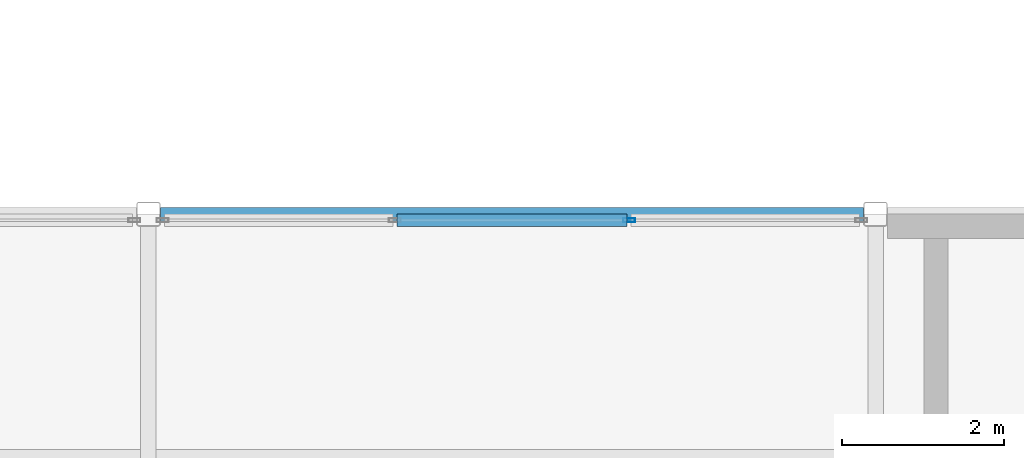
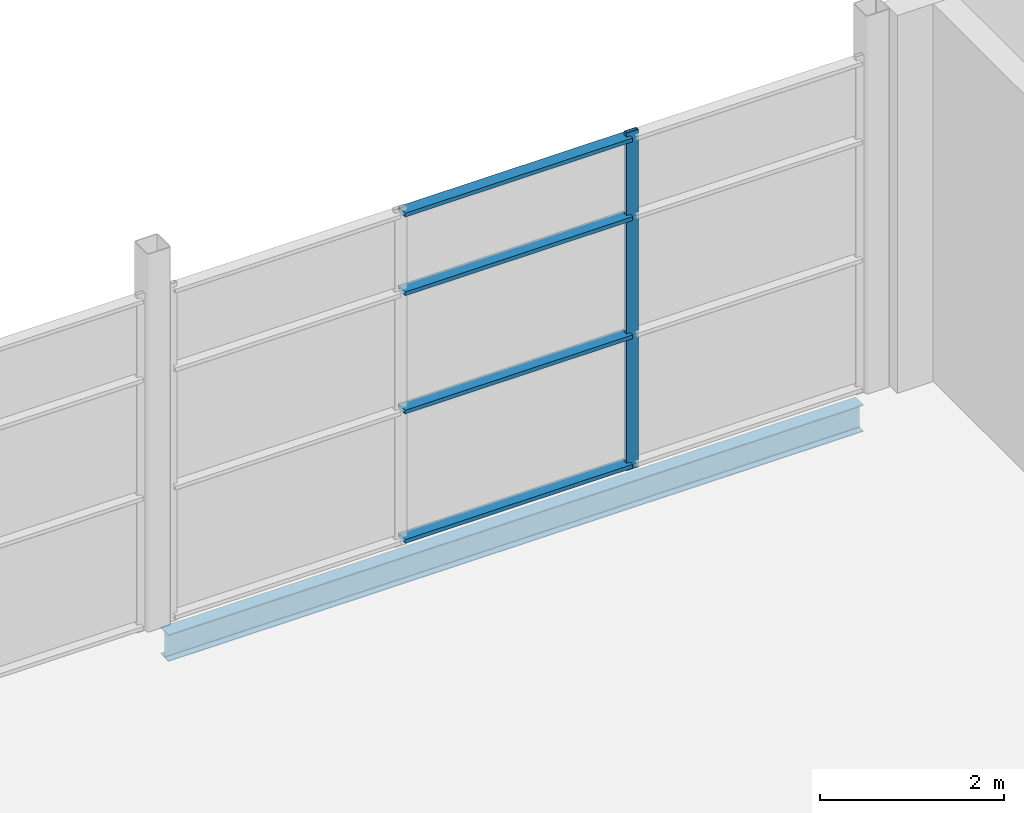
# One storey, part 64 of 112: 5 members, 1 beam, 1 element without a shape of its own.
"""IFC4 building model written with IfcOpenShell, lengths in metres."""

import ifcopenshell
import ifcopenshell.guid

model = None  # the IFC model being written
_history = None  # IfcOwnerHistory: only IFC2X3 demands one
_inside = {}  # id of a spatial element -> (the spatial element, [elements in it])
_under = {}  # id of a project, library or spatial element -> (it, [spatial elements below it])
_declared = {}  # id of a project -> (the project, [libraries it declares])
_typed = {}  # id of a type object -> (the type object, [elements of that type])
_made_of = {}  # id of a material, layer set ... -> (it, [elements and type objects made of it])


def new_model(schema):
    """Start an empty IFC model of exactly this schema.

    Asked for "IFC4X3", IfcOpenShell would pick the latest addendum, in which some entities
    have other attributes; the version numbers below select the first issue.
    IFC2X3 requires an IfcOwnerHistory on every rooted entity: one is made here for all.
    """
    global model, _history
    if schema == "IFC4X3":
        model = ifcopenshell.file(schema_version=(4, 3, 0, 0))
    else:
        model = ifcopenshell.file(schema=schema)
    _inside.clear()
    _under.clear()
    _declared.clear()
    _typed.clear()
    _made_of.clear()
    _history = None
    if model.schema == "IFC2X3":
        org = make("IfcOrganization", Name="unknown")
        user = make(
            "IfcPersonAndOrganization",
            ThePerson=make("IfcPerson", FamilyName="unknown"),
            TheOrganization=org,
        )
        app = make(
            "IfcApplication",
            ApplicationDeveloper=org,
            Version="unknown",
            ApplicationFullName="unknown",
            ApplicationIdentifier="unknown",
        )
        _history = make(
            "IfcOwnerHistory",
            OwningUser=user,
            OwningApplication=app,
            ChangeAction="ADDED",
            CreationDate=0,
        )
    return model


def make(cls, **values):
    """One entity of the class cls with the attributes given. An attribute that is None is left unset."""
    return model.create_entity(
        cls, **{name: value for name, value in values.items() if value is not None}
    )


def rooted(cls, **values):
    """An entity with a GlobalId (a new one), such as an element, a storey or a relation."""
    return make(cls, GlobalId=ifcopenshell.guid.new(), OwnerHistory=_history, **values)


def si_unit(unit_type, name, prefix=None):
    """IfcSIUnit, for example si_unit("LENGTHUNIT", "METRE", prefix="MILLI")."""
    return make("IfcSIUnit", UnitType=unit_type, Prefix=prefix, Name=name)


def assignment(units):
    """IfcUnitAssignment: the units of a project."""
    return None if units is None else make("IfcUnitAssignment", Units=units)


def point(xyz):
    """IfcCartesianPoint."""
    return None if xyz is None else make("IfcCartesianPoint", Coordinates=xyz)


def direction(xyz):
    """IfcDirection."""
    return None if xyz is None else make("IfcDirection", DirectionRatios=xyz)


def frame(location, z_axis=None, x_axis=None):
    """IfcAxis2Placement3D, a coordinate frame: its origin and axes. An axis left out is left unset."""
    return make(
        "IfcAxis2Placement3D",
        Location=point(location),
        Axis=direction(z_axis),
        RefDirection=direction(x_axis),
    )


def frame_2d(location, x_axis=None):
    """IfcAxis2Placement2D, a coordinate frame in the plane: its origin and x axis."""
    return make(
        "IfcAxis2Placement2D", Location=point(location), RefDirection=direction(x_axis)
    )


def origin():
    """The frame at (0, 0, 0) with its axes left unset."""
    return frame((0.0, 0.0, 0.0))


def origin_2d():
    """The frame at (0, 0) in the plane with its x axis left unset."""
    return frame_2d((0.0, 0.0))


def place(relative_to, where):
    """IfcLocalPlacement: puts the frame where relative to a parent placement (None: the world)."""
    return make(
        "IfcLocalPlacement", PlacementRelTo=relative_to, RelativePlacement=where
    )


def context(
    kind, dimensions, precision=None, world=None, true_north=None, identifier=None
):
    """IfcGeometricRepresentationContext, for example the 3D "Model" context."""
    return make(
        "IfcGeometricRepresentationContext",
        ContextIdentifier=identifier,
        ContextType=kind,
        CoordinateSpaceDimension=dimensions,
        Precision=precision,
        WorldCoordinateSystem=world,
        TrueNorth=true_north,
    )


def subcontext(parent, identifier, kind, view, scale=None):
    """IfcGeometricRepresentationSubContext, for example "Body" below "Model"."""
    return make(
        "IfcGeometricRepresentationSubContext",
        ContextIdentifier=identifier,
        ContextType=kind,
        ParentContext=parent,
        TargetScale=scale,
        TargetView=view,
    )


def project(units=None, contexts=None):
    """IfcProject with its units and contexts."""
    return rooted(
        "IfcProject",
        Name="project",
        RepresentationContexts=contexts,
        UnitsInContext=assignment(units),
    )


def spatial(cls, under=None, at=None, **own):
    """A site, building, storey or space (cls), placed at a placement, below another one or the project."""
    s = rooted(cls, ObjectPlacement=at, **own)
    if under is not None:
        _under.setdefault(under.id(), (under, []))[1].append(s)
    return s


def profile(cls, at=None, kind="AREA", **sizes):
    """A parametric profile (cls). Its sizes go by their IFC names, for example OverallWidth=200.0."""
    return make(cls, ProfileType=kind, Position=at, **sizes)


def hollow_rectangle(**sizes):
    """IfcRectangleHollowProfileDef."""
    return profile("IfcRectangleHollowProfileDef", **sizes)


def i_section(**sizes):
    """IfcIShapeProfileDef."""
    return profile("IfcIShapeProfileDef", **sizes)


def extrude(swept, where, along, depth):
    """IfcExtrudedAreaSolid: the profile swept, set in the frame where, extruded along a direction by depth."""
    return make(
        "IfcExtrudedAreaSolid",
        SweptArea=swept,
        Position=where,
        ExtrudedDirection=direction(along),
        Depth=depth,
    )


def shape(context_of_items, identifier, shape_type, items):
    """IfcShapeRepresentation: the items that make up one representation, for example the "Body"."""
    return make(
        "IfcShapeRepresentation",
        ContextOfItems=context_of_items,
        RepresentationIdentifier=identifier,
        RepresentationType=shape_type,
        Items=items,
    )


def material(Name=None, Category=None):
    """IfcMaterial."""
    return make("IfcMaterial", Name=Name, Category=Category)


def layer(
    of_material, thickness, ventilated=None, Name=None, Category=None, Priority=None
):
    """IfcMaterialLayer: one layer of a wall or slab, of a material (None: an air gap)."""
    return make(
        "IfcMaterialLayer",
        Material=of_material,
        LayerThickness=thickness,
        IsVentilated=ventilated,
        Name=Name,
        Category=Category,
        Priority=Priority,
    )


def layer_set(layers, Name=None):
    """IfcMaterialLayerSet."""
    return make("IfcMaterialLayerSet", MaterialLayers=layers, LayerSetName=Name)


def material_profile(
    of_material, cross_section, Name=None, Category=None, Priority=None
):
    """IfcMaterialProfile: a cross section and its material."""
    return make(
        "IfcMaterialProfile",
        Name=Name,
        Material=of_material,
        Profile=cross_section,
        Priority=Priority,
        Category=Category,
    )


def profile_set(profiles, Name=None, composite=None):
    """IfcMaterialProfileSet."""
    return make(
        "IfcMaterialProfileSet",
        Name=Name,
        MaterialProfiles=profiles,
        CompositeProfile=composite,
    )


def made_of(thing, what):
    """Note that an element or type object is made of a material, layer set ...; save() writes the relation."""
    if what is not None:
        _made_of.setdefault(what.id(), (what, []))[1].append(thing)
    return thing


def type_object(cls, material=None, **own):
    """A type object (cls), such as IfcWallType, which elements share."""
    return made_of(rooted(cls, **own), material)


def element(
    cls,
    number,
    at=None,
    inside=None,
    cuts=None,
    type_object=None,
    material=None,
    context=None,
    identifier="Body",
    shape_type=None,
    held_by="IfcProductDefinitionShape",
    body=None,
    shapes=None,
    **own,
):
    """One element of the class cls, such as IfcWall. Its Tag is "e" and its number.

    at: its placement. inside: the storey or other place that contains it. cuts: it is an
    opening in that element (IfcRelVoidsElement). A single representation is given by context,
    identifier, shape_type and body (its items); several are given by shapes. held_by: the class
    of the entity that holds the representations. save() writes the other relations.
    """
    e = rooted(cls, Tag="e%d" % number, ObjectPlacement=at, **own)
    if body is not None:
        shapes = [shape(context, identifier, shape_type, body)]
    if shapes is not None:
        e.Representation = make(held_by, Representations=shapes)
    if inside is not None:
        _inside.setdefault(inside.id(), (inside, []))[1].append(e)
    if cuts is not None:
        rooted(
            "IfcRelVoidsElement", RelatingBuildingElement=cuts, RelatedOpeningElement=e
        )
    if type_object is not None:
        _typed.setdefault(type_object.id(), (type_object, []))[1].append(e)
    return made_of(e, material)


def aggregate(whole, parts):
    """IfcRelAggregates: a whole, such as a stair, and the parts it consists of."""
    return rooted("IfcRelAggregates", RelatingObject=whole, RelatedObjects=parts)


def save(model, path):
    """Write the relations noted so far, then the file.

    IfcRelAggregates (storeys below a building ...), IfcRelContainedInSpatialStructure (elements
    in a storey), IfcRelDefinesByType, IfcRelAssociatesMaterial and IfcRelDeclares: one each for
    every whole, place, type object, material and project.
    """
    for whole, parts in _under.values():
        aggregate(whole, parts)
    for where, things in _inside.values():
        rooted(
            "IfcRelContainedInSpatialStructure",
            RelatedElements=things,
            RelatingStructure=where,
        )
    for kind, things in _typed.values():
        rooted("IfcRelDefinesByType", RelatedObjects=things, RelatingType=kind)
    for what, things in _made_of.values():
        rooted("IfcRelAssociatesMaterial", RelatedObjects=things, RelatingMaterial=what)
    for by, libraries in _declared.values():
        rooted("IfcRelDeclares", RelatingContext=by, RelatedDefinitions=libraries)
    model.write(path)


model = new_model("IFC4")

# Units and contexts
model_context = context("Model", 3, precision=1e-05, world=origin(), true_north=direction((0.0, 1.0)))
body_context = subcontext(model_context, "Body", "Model", "MODEL_VIEW")
ifc_project = project(units=[si_unit("LENGTHUNIT", "METRE"), si_unit("AREAUNIT", "SQUARE_METRE"), si_unit("VOLUMEUNIT", "CUBIC_METRE"), si_unit("PLANEANGLEUNIT", "RADIAN"), si_unit("MASSUNIT", "GRAM", prefix="KILO")], contexts=[model_context])

# Site, building, storey
site_placement = place(None, origin())
site = spatial("IfcSite", under=ifc_project, at=site_placement, CompositionType="ELEMENT")
building_placement = place(site_placement, origin())
building = spatial("IfcBuilding", under=site, at=building_placement, Name="Shorebreak Coast Museum", CompositionType="ELEMENT")
storey_placement = place(building_placement, frame((0.0, 0.0, 6.0)))
storey = spatial("IfcBuildingStorey", under=building, at=storey_placement, Name="L01", CompositionType="ELEMENT", Elevation=6.0)

# Beam
ifc_material_1 = material(Name="Steel Grade 300", Category="steel")
ifc_material_profile_1 = material_profile(ifc_material_1, i_section(OverallWidth=0.1708984375, OverallDepth=0.355712890625, WebThickness=0.00732421875, FlangeThickness=0.011474609375, FilletRadius=0.011474609375, at=origin_2d()), Name="360UB50.7")
ifc_profile_set_1 = profile_set([ifc_material_profile_1], Name="Steel Grade 300")
beam_type = type_object("IfcBeamType", Name="Floor girder east-west 360UB50.7", PredefinedType="BEAM", material=ifc_profile_set_1)
beam_placement = place(storey_placement, frame((153.14990234375, 90.0, -0.352783203125), z_axis=(1.0, 0.0, 0.0), x_axis=(0.0, 1.0, 0.0)))
element("IfcBeam", 1, at=beam_placement, inside=storey, type_object=beam_type, Name="Floor girder east-west L01 18L", PredefinedType="BEAM", context=body_context, shape_type="SweptSolid", body=[
    extrude(i_section(OverallWidth=0.1708984375, OverallDepth=0.355712890625, WebThickness=0.00732421875, FlangeThickness=0.011474609375, FilletRadius=0.011474609375, at=origin_2d()), origin(), (0.0, 0.0, 1.0), 8.7001953125),
])

# Curtain wall, members
ifc_material_2 = material(Name="Aluminium", Category="aluminium")
ifc_layer = layer(ifc_material_2, 0.14990234375)
ifc_layer_set = layer_set([ifc_layer], Name="Aluminium")
curtain_wall_type = type_object("IfcCurtainWallType", Name="Storefront curtain wall", PredefinedType="NOTDEFINED", material=ifc_layer_set)
curtain_wall_placement = place(storey_placement, origin())
curtain_wall = element("IfcCurtainWall", 2, at=curtain_wall_placement, inside=storey, type_object=curtain_wall_type, Name="Storefront L01 N 17", PredefinedType="NOTDEFINED")
ifc_material_3 = material(Name="Aluminium", Category="aluminium")
ifc_material_profile_2 = material_profile(ifc_material_3, hollow_rectangle(XDim=0.050048828125, YDim=0.14990234375, WallThickness=0.00390625, at=origin_2d()), Name="AL 150x50 RHS")
ifc_profile_set_2 = profile_set([ifc_material_profile_2], Name="Aluminium")
member_type_1 = type_object("IfcMemberType", Name="Storefront mullion 50 x 150", PredefinedType="MULLION", material=ifc_profile_set_2)
member_1_placement = place(storey_placement, frame((158.949951171875, 89.925048828125, 0.0), z_axis=(0.0, 0.0, 1.0), x_axis=(0.0, 1.0, 0.0)))
member_1 = element("IfcMember", 3, at=member_1_placement, type_object=member_type_1, Name="CW8 mullion 3", PredefinedType="MULLION", context=body_context, shape_type="SweptSolid", body=[
    extrude(hollow_rectangle(XDim=0.050048828125, YDim=0.14990234375, WallThickness=0.00390625, at=origin_2d()), origin(), (0.0, 0.0, 1.0), 4.469482421875),
])
ifc_material_4 = material(Name="Aluminium", Category="aluminium")
ifc_material_profile_3 = material_profile(ifc_material_4, hollow_rectangle(XDim=0.14990234375, YDim=0.050048828125, WallThickness=0.00390625, at=origin_2d()), Name="AL 50x150 RHS")
ifc_profile_set_3 = profile_set([ifc_material_profile_3], Name="Aluminium")
member_type_2 = type_object("IfcMemberType", Name="Storefront transom 150 x 50", PredefinedType="USERDEFINED", material=ifc_profile_set_3)
member_2_placement = place(storey_placement, frame((156.074951171875, 89.925048828125, 0.074951171875), z_axis=(1.0, 0.0, 0.0), x_axis=(0.0, 1.0, 0.0)))
member_2 = element("IfcMember", 4, at=member_2_placement, type_object=member_type_2, Name="CW8 transom 2.1", ObjectType="TRANSOM", PredefinedType="USERDEFINED", context=body_context, shape_type="SweptSolid", body=[
    extrude(hollow_rectangle(XDim=0.14990234375, YDim=0.050048828125, WallThickness=0.00390625, at=origin_2d()), origin(), (0.0, 0.0, 1.0), 2.85009765625),
])
member_3_placement = place(storey_placement, frame((156.074951171875, 89.925048828125, 1.787841796875), z_axis=(1.0, 0.0, 0.0), x_axis=(0.0, 1.0, 0.0)))
member_3 = element("IfcMember", 5, at=member_3_placement, type_object=member_type_2, Name="CW8 transom 2.2", ObjectType="TRANSOM", PredefinedType="USERDEFINED", context=body_context, shape_type="SweptSolid", body=[
    extrude(hollow_rectangle(XDim=0.14990234375, YDim=0.050048828125, WallThickness=0.00390625, at=origin_2d()), origin(), (0.0, 0.0, 1.0), 2.85009765625),
])
member_4_placement = place(storey_placement, frame((156.074951171875, 89.925048828125, 3.35205078125), z_axis=(1.0, 0.0, 0.0), x_axis=(0.0, 1.0, 0.0)))
member_4 = element("IfcMember", 6, at=member_4_placement, type_object=member_type_2, Name="CW8 transom 2.3", ObjectType="TRANSOM", PredefinedType="USERDEFINED", context=body_context, shape_type="SweptSolid", body=[
    extrude(hollow_rectangle(XDim=0.14990234375, YDim=0.050048828125, WallThickness=0.00390625, at=origin_2d()), origin(), (0.0, 0.0, 1.0), 2.85009765625),
])
member_5_placement = place(storey_placement, frame((156.074951171875, 89.925048828125, 4.394287109375), z_axis=(1.0, 0.0, 0.0), x_axis=(0.0, 1.0, 0.0)))
member_5 = element("IfcMember", 7, at=member_5_placement, type_object=member_type_2, Name="CW8 transom 2.4", ObjectType="TRANSOM", PredefinedType="USERDEFINED", context=body_context, shape_type="SweptSolid", body=[
    extrude(hollow_rectangle(XDim=0.14990234375, YDim=0.050048828125, WallThickness=0.00390625, at=origin_2d()), origin(), (0.0, 0.0, 1.0), 2.85009765625),
])
aggregate(curtain_wall, [member_1, member_2, member_3, member_4, member_5])

save(model, "model.ifc")
